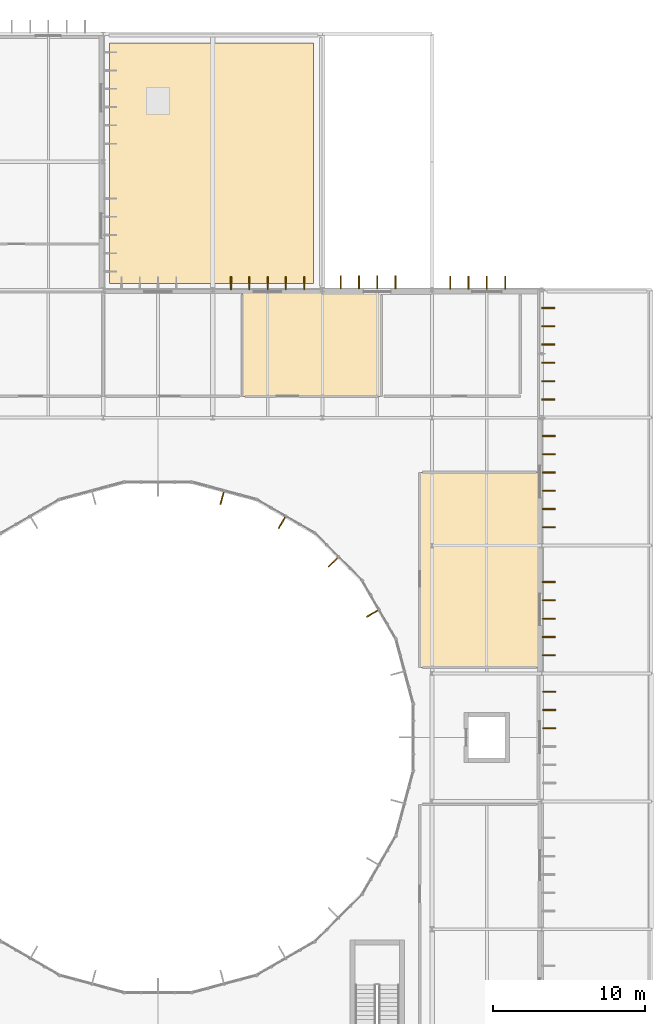
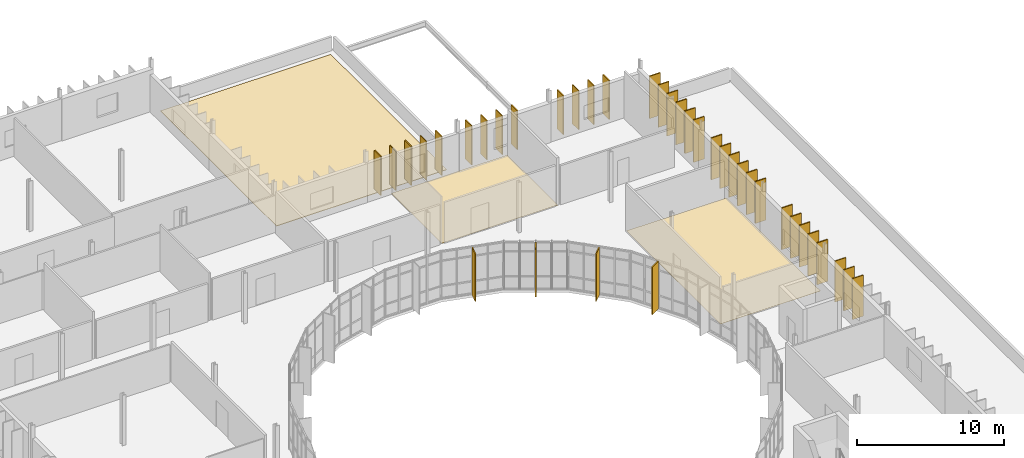
# One storey, part 99 of 99: 37 shading devices, 3 coverings.
"""IFC4 building model written with IfcOpenShell, lengths in metres."""

import ifcopenshell
import ifcopenshell.guid

model = None  # the IFC model being written
_history = None  # IfcOwnerHistory: only IFC2X3 demands one
_inside = {}  # id of a spatial element -> (the spatial element, [elements in it])
_under = {}  # id of a project, library or spatial element -> (it, [spatial elements below it])
_declared = {}  # id of a project -> (the project, [libraries it declares])
_typed = {}  # id of a type object -> (the type object, [elements of that type])
_made_of = {}  # id of a material, layer set ... -> (it, [elements and type objects made of it])


def new_model(schema):
    """Start an empty IFC model of exactly this schema.

    Asked for "IFC4X3", IfcOpenShell would pick the latest addendum, in which some entities
    have other attributes; the version numbers below select the first issue.
    IFC2X3 requires an IfcOwnerHistory on every rooted entity: one is made here for all.
    """
    global model, _history
    if schema == "IFC4X3":
        model = ifcopenshell.file(schema_version=(4, 3, 0, 0))
    else:
        model = ifcopenshell.file(schema=schema)
    _inside.clear()
    _under.clear()
    _declared.clear()
    _typed.clear()
    _made_of.clear()
    _history = None
    if model.schema == "IFC2X3":
        org = make("IfcOrganization", Name="unknown")
        user = make(
            "IfcPersonAndOrganization",
            ThePerson=make("IfcPerson", FamilyName="unknown"),
            TheOrganization=org,
        )
        app = make(
            "IfcApplication",
            ApplicationDeveloper=org,
            Version="unknown",
            ApplicationFullName="unknown",
            ApplicationIdentifier="unknown",
        )
        _history = make(
            "IfcOwnerHistory",
            OwningUser=user,
            OwningApplication=app,
            ChangeAction="ADDED",
            CreationDate=0,
        )
    return model


def make(cls, **values):
    """One entity of the class cls with the attributes given. An attribute that is None is left unset."""
    return model.create_entity(
        cls, **{name: value for name, value in values.items() if value is not None}
    )


def rooted(cls, **values):
    """An entity with a GlobalId (a new one), such as an element, a storey or a relation."""
    return make(cls, GlobalId=ifcopenshell.guid.new(), OwnerHistory=_history, **values)


def si_unit(unit_type, name, prefix=None):
    """IfcSIUnit, for example si_unit("LENGTHUNIT", "METRE", prefix="MILLI")."""
    return make("IfcSIUnit", UnitType=unit_type, Prefix=prefix, Name=name)


def assignment(units):
    """IfcUnitAssignment: the units of a project."""
    return None if units is None else make("IfcUnitAssignment", Units=units)


def point(xyz):
    """IfcCartesianPoint."""
    return None if xyz is None else make("IfcCartesianPoint", Coordinates=xyz)


def direction(xyz):
    """IfcDirection."""
    return None if xyz is None else make("IfcDirection", DirectionRatios=xyz)


def frame(location, z_axis=None, x_axis=None):
    """IfcAxis2Placement3D, a coordinate frame: its origin and axes. An axis left out is left unset."""
    return make(
        "IfcAxis2Placement3D",
        Location=point(location),
        Axis=direction(z_axis),
        RefDirection=direction(x_axis),
    )


def frame_2d(location, x_axis=None):
    """IfcAxis2Placement2D, a coordinate frame in the plane: its origin and x axis."""
    return make(
        "IfcAxis2Placement2D", Location=point(location), RefDirection=direction(x_axis)
    )


def origin():
    """The frame at (0, 0, 0) with its axes left unset."""
    return frame((0.0, 0.0, 0.0))


def origin_2d():
    """The frame at (0, 0) in the plane with its x axis left unset."""
    return frame_2d((0.0, 0.0))


def place(relative_to, where):
    """IfcLocalPlacement: puts the frame where relative to a parent placement (None: the world)."""
    return make(
        "IfcLocalPlacement", PlacementRelTo=relative_to, RelativePlacement=where
    )


def context(
    kind, dimensions, precision=None, world=None, true_north=None, identifier=None
):
    """IfcGeometricRepresentationContext, for example the 3D "Model" context."""
    return make(
        "IfcGeometricRepresentationContext",
        ContextIdentifier=identifier,
        ContextType=kind,
        CoordinateSpaceDimension=dimensions,
        Precision=precision,
        WorldCoordinateSystem=world,
        TrueNorth=true_north,
    )


def subcontext(parent, identifier, kind, view, scale=None):
    """IfcGeometricRepresentationSubContext, for example "Body" below "Model"."""
    return make(
        "IfcGeometricRepresentationSubContext",
        ContextIdentifier=identifier,
        ContextType=kind,
        ParentContext=parent,
        TargetScale=scale,
        TargetView=view,
    )


def project(units=None, contexts=None):
    """IfcProject with its units and contexts."""
    return rooted(
        "IfcProject",
        Name="project",
        RepresentationContexts=contexts,
        UnitsInContext=assignment(units),
    )


def spatial(cls, under=None, at=None, **own):
    """A site, building, storey or space (cls), placed at a placement, below another one or the project."""
    s = rooted(cls, ObjectPlacement=at, **own)
    if under is not None:
        _under.setdefault(under.id(), (under, []))[1].append(s)
    return s


def polyline(points):
    """IfcPolyline through the points."""
    return make("IfcPolyline", Points=[point(p) for p in points])


def profile(cls, at=None, kind="AREA", **sizes):
    """A parametric profile (cls). Its sizes go by their IFC names, for example OverallWidth=200.0."""
    return make(cls, ProfileType=kind, Position=at, **sizes)


def rectangle(**sizes):
    """IfcRectangleProfileDef."""
    return profile("IfcRectangleProfileDef", **sizes)


def outline(outer, holes=None, kind="AREA"):
    """IfcArbitraryClosedProfileDef: a profile drawn as a closed curve; with holes, ...WithVoids."""
    if holes is None:
        return make("IfcArbitraryClosedProfileDef", ProfileType=kind, OuterCurve=outer)
    return make(
        "IfcArbitraryProfileDefWithVoids",
        ProfileType=kind,
        OuterCurve=outer,
        InnerCurves=holes,
    )


def extrude(swept, where, along, depth):
    """IfcExtrudedAreaSolid: the profile swept, set in the frame where, extruded along a direction by depth."""
    return make(
        "IfcExtrudedAreaSolid",
        SweptArea=swept,
        Position=where,
        ExtrudedDirection=direction(along),
        Depth=depth,
    )


def shape(context_of_items, identifier, shape_type, items):
    """IfcShapeRepresentation: the items that make up one representation, for example the "Body"."""
    return make(
        "IfcShapeRepresentation",
        ContextOfItems=context_of_items,
        RepresentationIdentifier=identifier,
        RepresentationType=shape_type,
        Items=items,
    )


def material(Name=None, Category=None):
    """IfcMaterial."""
    return make("IfcMaterial", Name=Name, Category=Category)


def layer(
    of_material, thickness, ventilated=None, Name=None, Category=None, Priority=None
):
    """IfcMaterialLayer: one layer of a wall or slab, of a material (None: an air gap)."""
    return make(
        "IfcMaterialLayer",
        Material=of_material,
        LayerThickness=thickness,
        IsVentilated=ventilated,
        Name=Name,
        Category=Category,
        Priority=Priority,
    )


def layer_set(layers, Name=None):
    """IfcMaterialLayerSet."""
    return make("IfcMaterialLayerSet", MaterialLayers=layers, LayerSetName=Name)


def made_of(thing, what):
    """Note that an element or type object is made of a material, layer set ...; save() writes the relation."""
    if what is not None:
        _made_of.setdefault(what.id(), (what, []))[1].append(thing)
    return thing


def type_object(cls, material=None, **own):
    """A type object (cls), such as IfcWallType, which elements share."""
    return made_of(rooted(cls, **own), material)


def element(
    cls,
    number,
    at=None,
    inside=None,
    cuts=None,
    type_object=None,
    material=None,
    context=None,
    identifier="Body",
    shape_type=None,
    held_by="IfcProductDefinitionShape",
    body=None,
    shapes=None,
    **own,
):
    """One element of the class cls, such as IfcWall. Its Tag is "e" and its number.

    at: its placement. inside: the storey or other place that contains it. cuts: it is an
    opening in that element (IfcRelVoidsElement). A single representation is given by context,
    identifier, shape_type and body (its items); several are given by shapes. held_by: the class
    of the entity that holds the representations. save() writes the other relations.
    """
    e = rooted(cls, Tag="e%d" % number, ObjectPlacement=at, **own)
    if body is not None:
        shapes = [shape(context, identifier, shape_type, body)]
    if shapes is not None:
        e.Representation = make(held_by, Representations=shapes)
    if inside is not None:
        _inside.setdefault(inside.id(), (inside, []))[1].append(e)
    if cuts is not None:
        rooted(
            "IfcRelVoidsElement", RelatingBuildingElement=cuts, RelatedOpeningElement=e
        )
    if type_object is not None:
        _typed.setdefault(type_object.id(), (type_object, []))[1].append(e)
    return made_of(e, material)


def aggregate(whole, parts):
    """IfcRelAggregates: a whole, such as a stair, and the parts it consists of."""
    return rooted("IfcRelAggregates", RelatingObject=whole, RelatedObjects=parts)


def save(model, path):
    """Write the relations noted so far, then the file.

    IfcRelAggregates (storeys below a building ...), IfcRelContainedInSpatialStructure (elements
    in a storey), IfcRelDefinesByType, IfcRelAssociatesMaterial and IfcRelDeclares: one each for
    every whole, place, type object, material and project.
    """
    for whole, parts in _under.values():
        aggregate(whole, parts)
    for where, things in _inside.values():
        rooted(
            "IfcRelContainedInSpatialStructure",
            RelatedElements=things,
            RelatingStructure=where,
        )
    for kind, things in _typed.values():
        rooted("IfcRelDefinesByType", RelatedObjects=things, RelatingType=kind)
    for what, things in _made_of.values():
        rooted("IfcRelAssociatesMaterial", RelatedObjects=things, RelatingMaterial=what)
    for by, libraries in _declared.values():
        rooted("IfcRelDeclares", RelatingContext=by, RelatedDefinitions=libraries)
    model.write(path)


model = new_model("IFC4")

# Units and contexts
model_context = context("Model", 3, precision=1e-05, world=origin(), true_north=direction((0.0, 1.0)))
body_context = subcontext(model_context, "Body", "Model", "MODEL_VIEW")
ifc_project = project(units=[si_unit("LENGTHUNIT", "METRE"), si_unit("AREAUNIT", "SQUARE_METRE"), si_unit("VOLUMEUNIT", "CUBIC_METRE"), si_unit("PLANEANGLEUNIT", "RADIAN"), si_unit("MASSUNIT", "GRAM", prefix="KILO")], contexts=[model_context])

# Site, building, storey
site_placement = place(None, origin())
site = spatial("IfcSite", under=ifc_project, at=site_placement, CompositionType="ELEMENT")
building_placement = place(site_placement, origin())
building = spatial("IfcBuilding", under=site, at=building_placement, Name="Qelthora Terrace Specialist Clinic", CompositionType="ELEMENT")
storey_placement = place(building_placement, frame((0.0, 0.0, 9.0)))
storey = spatial("IfcBuildingStorey", under=building, at=storey_placement, Name="L02", CompositionType="ELEMENT", Elevation=9.0)

# Coverings
ifc_material_1 = material(Name="Antimicrobial clinical linoleum flooring", Category="other")
ifc_layer_1 = layer(ifc_material_1, 0.011962890625)
ifc_layer_set_1 = layer_set([ifc_layer_1], Name="Antimicrobial clinical linoleum flooring")
covering_type_1 = type_object("IfcCoveringType", Name="COV-FLR-LINO-12", PredefinedType="FLOORING", material=ifc_layer_set_1)
covering_1_placement = place(storey_placement, origin())
element("IfcCovering", 1, at=covering_1_placement, inside=storey, type_object=covering_type_1, Name="Specialty Waiting Lounge L02-39 resilient linoleum flooring", PredefinedType="FLOORING", context=body_context, shape_type="SweptSolid", body=[
    extrude(outline(polyline([(140.666748046875, 92.27001953125), (140.666748046875, 85.39990234375), (131.538330078125, 85.39990234375), (131.538330078125, 92.27001953125), (140.666748046875, 92.27001953125)])), origin(), (0.0, 0.0, 1.0), 0.011962890625),
])
covering_2_placement = place(storey_placement, origin())
element("IfcCovering", 2, at=covering_2_placement, inside=storey, type_object=covering_type_1, Name="Specialty Infusion Preparation East L02-42 resilient linoleum flooring", PredefinedType="FLOORING", context=body_context, shape_type="SweptSolid", body=[
    extrude(outline(polyline([(143.199951171875, 67.60009765625), (143.199951171875, 80.39990234375), (151.070068359375, 80.39990234375), (151.070068359375, 67.60009765625), (143.199951171875, 67.60009765625)])), origin(), (0.0, 0.0, 1.0), 0.011962890625),
])
ifc_material_2 = material(Name="Standing-seam titanium-zinc", Category="metals")
ifc_layer_2 = layer(ifc_material_2, 0.0400390625)
ifc_layer_set_2 = layer_set([ifc_layer_2], Name="Standing-seam titanium-zinc")
covering_type_2 = type_object("IfcCoveringType", Name="COV-ROOF-ZINC", PredefinedType="ROOFING", material=ifc_layer_set_2)
covering_3_placement = place(storey_placement, origin())
element("IfcCovering", 3, at=covering_3_placement, inside=storey, type_object=covering_type_2, Name="Standing-seam zinc roof covering RCOV-L02-06", PredefinedType="ROOFING", context=body_context, shape_type="SweptSolid", body=[
    extrude(outline(polyline([(122.800048828125, 92.800048828125), (136.199951171875, 92.800048828125), (136.199951171875, 108.60009765625), (122.800048828125, 108.60009765625), (122.800048828125, 92.800048828125)])), origin(), (0.0, 0.0, 1.0), 0.0400390625),
])

# Shading devices
ifc_material_3 = material(Name="Glulam timber GL28h", Category="wood")
shading_device_type = type_object("IfcShadingDeviceType", Name="SHD-FIN-850", PredefinedType="USERDEFINED", material=ifc_material_3)
for number, where, z_axis, x_axis, name in (
    (4, (140.082763671875, 71.130615234375, 0.0), (0.0, 0.0, 1.0), (-0.866025403784, -0.5, 0.0), "Court solar fin FIN-0048"),
    (5, (137.49853515625, 74.49853515625, 0.0), (0.0, 0.0, 1.0), (-0.707106781187, -0.707106781187, 0.0), "Court solar fin FIN-0049"),
    (6, (134.130615234375, 77.082763671875, 0.0), (0.0, 0.0, 1.0), (-0.5, -0.866025403784, 0.0), "Court solar fin FIN-0050"),
    (7, (130.208740234375, 78.707275390625, 0.0), (0.0, 0.0, 1.0), (-0.258819045103, -0.965925826289, 0.0), "Court solar fin FIN-0051"),
):
    element("IfcShadingDevice", number, at=place(storey_placement, frame(where, z_axis=z_axis, x_axis=x_axis)), inside=storey, type_object=shading_device_type, Name=name, ObjectType="FIN", PredefinedType="USERDEFINED", context=body_context, shape_type="SweptSolid", body=[
        extrude(rectangle(XDim=0.85009765625, YDim=0.080078125, at=origin_2d()), origin(), (0.0, 0.0, 1.0), 3.945068359375),
    ])
for number, where, z_axis, x_axis, name in (
    (8, (130.800048828125, 92.8349609375, 0.0), (0.0, 0.0, 1.0), (0.0, 1.0, 0.0), "Exterior solar shading fin FIN-1283"),
    (9, (132.0, 92.8349609375, 0.0), (0.0, 0.0, 1.0), (0.0, 1.0, 0.0), "Exterior solar shading fin FIN-1284"),
    (10, (133.199951171875, 92.8349609375, 0.0), (0.0, 0.0, 1.0), (0.0, 1.0, 0.0), "Exterior solar shading fin FIN-1285"),
    (11, (134.39990234375, 92.8349609375, 0.0), (0.0, 0.0, 1.0), (0.0, 1.0, 0.0), "Exterior solar shading fin FIN-1286"),
    (12, (135.60009765625, 92.8349609375, 0.0), (0.0, 0.0, 1.0), (0.0, 1.0, 0.0), "Exterior solar shading fin FIN-1287"),
    (13, (138.0, 92.89501953125, 0.0), (0.0, 0.0, 1.0), (0.0, 1.0, 0.0), "Exterior solar shading fin FIN-1288"),
    (14, (139.199951171875, 92.89501953125, 0.0), (0.0, 0.0, 1.0), (0.0, 1.0, 0.0), "Exterior solar shading fin FIN-1289"),
    (15, (140.39990234375, 92.89501953125, 0.0), (0.0, 0.0, 1.0), (0.0, 1.0, 0.0), "Exterior solar shading fin FIN-1290"),
    (16, (141.60009765625, 92.89501953125, 0.0), (0.0, 0.0, 1.0), (0.0, 1.0, 0.0), "Exterior solar shading fin FIN-1291"),
):
    element("IfcShadingDevice", number, at=place(storey_placement, frame(where, z_axis=z_axis, x_axis=x_axis)), inside=storey, type_object=shading_device_type, Name=name, ObjectType="FIN", PredefinedType="USERDEFINED", context=body_context, shape_type="SweptSolid", body=[
        extrude(rectangle(XDim=0.85009765625, YDim=0.080078125, at=origin_2d()), origin(), (0.0, 0.0, 1.0), 3.2490234375),
    ])
for number, where, z_axis, x_axis, name in (
    (17, (145.199951171875, 92.864990234375, 0.0), (0.0, 0.0, 1.0), (0.0, 1.0, 0.0), "Exterior solar shading fin FIN-1292"),
    (18, (146.39990234375, 92.864990234375, 0.0), (0.0, 0.0, 1.0), (0.0, 1.0, 0.0), "Exterior solar shading fin FIN-1293"),
    (19, (147.60009765625, 92.864990234375, 0.0), (0.0, 0.0, 1.0), (0.0, 1.0, 0.0), "Exterior solar shading fin FIN-1294"),
    (20, (148.800048828125, 92.864990234375, 0.0), (0.0, 0.0, 1.0), (0.0, 1.0, 0.0), "Exterior solar shading fin FIN-1295"),
):
    element("IfcShadingDevice", number, at=place(storey_placement, frame(where, z_axis=z_axis, x_axis=x_axis)), inside=storey, type_object=shading_device_type, Name=name, ObjectType="FIN", PredefinedType="USERDEFINED", context=body_context, shape_type="SweptSolid", body=[
        extrude(rectangle(XDim=0.85009765625, YDim=0.080078125, at=origin_2d()), origin(), (0.0, 0.0, 1.0), 3.25390625),
    ])
for number, where, z_axis, x_axis, name in (
    (21, (151.695068359375, 63.60009765625, 0.0), (0.0, 0.0, 1.0), (1.0, 0.0, 0.0), "Exterior solar shading fin FIN-1314"),
    (22, (151.695068359375, 64.800048828125, 0.0), (0.0, 0.0, 1.0), (1.0, 0.0, 0.0), "Exterior solar shading fin FIN-1315"),
    (23, (151.695068359375, 66.0, 0.0), (0.0, 0.0, 1.0), (1.0, 0.0, 0.0), "Exterior solar shading fin FIN-1316"),
):
    element("IfcShadingDevice", number, at=place(storey_placement, frame(where, z_axis=z_axis, x_axis=x_axis)), inside=storey, type_object=shading_device_type, Name=name, ObjectType="FIN", PredefinedType="USERDEFINED", context=body_context, shape_type="SweptSolid", body=[
        extrude(rectangle(XDim=0.85009765625, YDim=0.080078125, at=origin_2d()), origin(), (0.0, 0.0, 1.0), 3.405029296875),
    ])
for number, where, z_axis, x_axis, name in (
    (24, (151.6650390625, 68.39990234375, 0.0), (0.0, 0.0, 1.0), (1.0, 0.0, 0.0), "Exterior solar shading fin FIN-1317"),
    (25, (151.6650390625, 69.60009765625, 0.0), (0.0, 0.0, 1.0), (1.0, 0.0, 0.0), "Exterior solar shading fin FIN-1318"),
    (26, (151.6650390625, 70.800048828125, 0.0), (0.0, 0.0, 1.0), (1.0, 0.0, 0.0), "Exterior solar shading fin FIN-1319"),
    (27, (151.6650390625, 72.0, 0.0), (0.0, 0.0, 1.0), (1.0, 0.0, 0.0), "Exterior solar shading fin FIN-1320"),
    (28, (151.6650390625, 73.199951171875, 0.0), (0.0, 0.0, 1.0), (1.0, 0.0, 0.0), "Exterior solar shading fin FIN-1321"),
):
    element("IfcShadingDevice", number, at=place(storey_placement, frame(where, z_axis=z_axis, x_axis=x_axis)), inside=storey, type_object=shading_device_type, Name=name, ObjectType="FIN", PredefinedType="USERDEFINED", context=body_context, shape_type="SweptSolid", body=[
        extrude(rectangle(XDim=0.85009765625, YDim=0.080078125, at=origin_2d()), origin(), (0.0, 0.0, 1.0), 3.47607421875),
    ])
for number, where, z_axis, x_axis, name in (
    (29, (151.655029296875, 76.800048828125, 0.0), (0.0, 0.0, 1.0), (1.0, 0.0, 0.0), "Exterior solar shading fin FIN-1322"),
    (30, (151.655029296875, 78.0, 0.0), (0.0, 0.0, 1.0), (1.0, 0.0, 0.0), "Exterior solar shading fin FIN-1323"),
    (31, (151.655029296875, 79.199951171875, 0.0), (0.0, 0.0, 1.0), (1.0, 0.0, 0.0), "Exterior solar shading fin FIN-1324"),
    (32, (151.655029296875, 80.39990234375, 0.0), (0.0, 0.0, 1.0), (1.0, 0.0, 0.0), "Exterior solar shading fin FIN-1325"),
    (33, (151.655029296875, 81.60009765625, 0.0), (0.0, 0.0, 1.0), (1.0, 0.0, 0.0), "Exterior solar shading fin FIN-1326"),
    (34, (151.655029296875, 82.800048828125, 0.0), (0.0, 0.0, 1.0), (1.0, 0.0, 0.0), "Exterior solar shading fin FIN-1327"),
):
    element("IfcShadingDevice", number, at=place(storey_placement, frame(where, z_axis=z_axis, x_axis=x_axis)), inside=storey, type_object=shading_device_type, Name=name, ObjectType="FIN", PredefinedType="USERDEFINED", context=body_context, shape_type="SweptSolid", body=[
        extrude(rectangle(XDim=0.85009765625, YDim=0.080078125, at=origin_2d()), origin(), (0.0, 0.0, 1.0), 3.48193359375),
    ])
for number, where, z_axis, x_axis, name in (
    (35, (151.64501953125, 85.199951171875, 0.0), (0.0, 0.0, 1.0), (1.0, 0.0, 0.0), "Exterior solar shading fin FIN-1328"),
    (36, (151.64501953125, 86.39990234375, 0.0), (0.0, 0.0, 1.0), (1.0, 0.0, 0.0), "Exterior solar shading fin FIN-1329"),
    (37, (151.64501953125, 87.60009765625, 0.0), (0.0, 0.0, 1.0), (1.0, 0.0, 0.0), "Exterior solar shading fin FIN-1330"),
    (38, (151.64501953125, 88.800048828125, 0.0), (0.0, 0.0, 1.0), (1.0, 0.0, 0.0), "Exterior solar shading fin FIN-1331"),
    (39, (151.64501953125, 90.0, 0.0), (0.0, 0.0, 1.0), (1.0, 0.0, 0.0), "Exterior solar shading fin FIN-1332"),
    (40, (151.64501953125, 91.199951171875, 0.0), (0.0, 0.0, 1.0), (1.0, 0.0, 0.0), "Exterior solar shading fin FIN-1333"),
):
    element("IfcShadingDevice", number, at=place(storey_placement, frame(where, z_axis=z_axis, x_axis=x_axis)), inside=storey, type_object=shading_device_type, Name=name, ObjectType="FIN", PredefinedType="USERDEFINED", context=body_context, shape_type="SweptSolid", body=[
        extrude(rectangle(XDim=0.85009765625, YDim=0.080078125, at=origin_2d()), origin(), (0.0, 0.0, 1.0), 3.529052734375),
    ])

save(model, "model.ifc")
